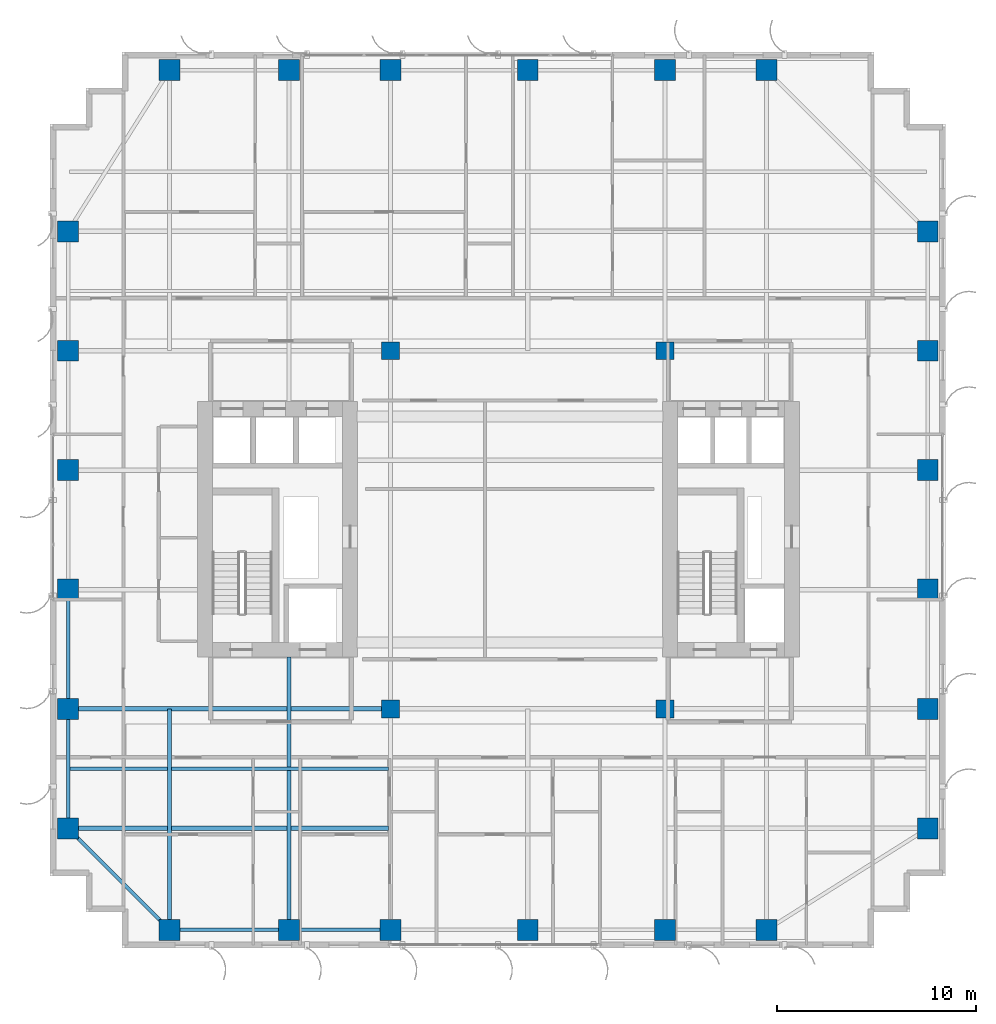
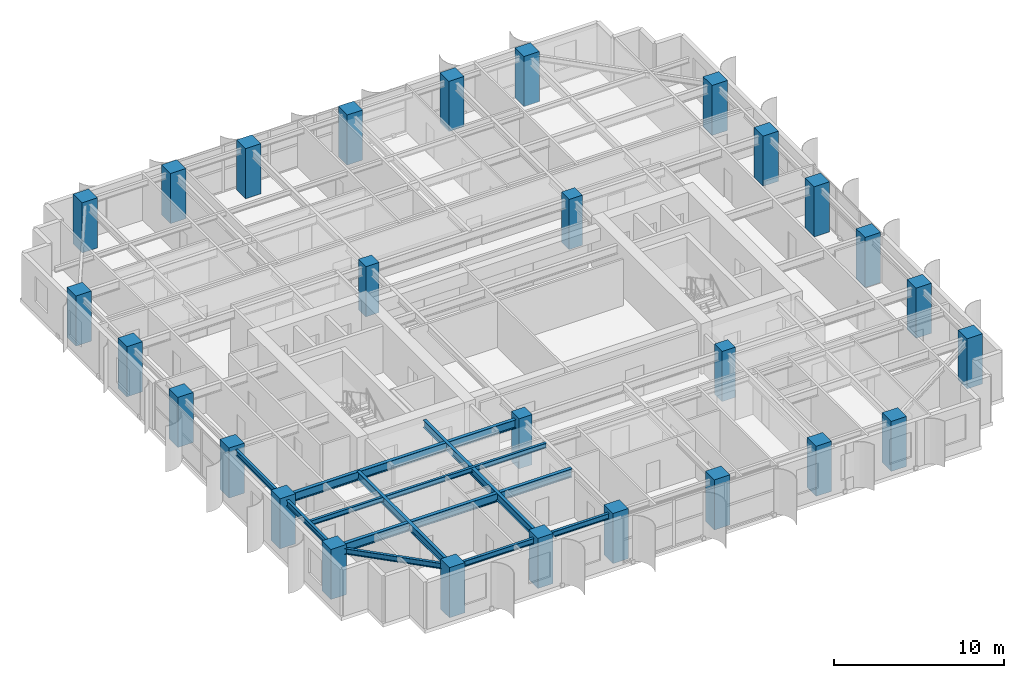
# One storey, part 1 of 22: 28 columns, 10 beams.
"""IFC4 building model written with IfcOpenShell, lengths in metres."""

from ifc_helpers import new_model, si_unit, direction, frame, origin, origin_2d, place, context, subcontext, project, spatial, rectangle, i_section, extrude, source, transform, mapped, material, material_profile, profile_set, type_object, element, save


model = new_model("IFC4")

# Units and contexts
model_context = context("Model", 3, precision=1e-05, world=origin(), true_north=direction((0.0, 1.0)))
body_context = subcontext(model_context, "Body", "Model", "MODEL_VIEW")
ifc_project = project(units=[si_unit("LENGTHUNIT", "METRE"), si_unit("AREAUNIT", "SQUARE_METRE"), si_unit("VOLUMEUNIT", "CUBIC_METRE"), si_unit("PLANEANGLEUNIT", "RADIAN"), si_unit("MASSUNIT", "GRAM", prefix="KILO")], contexts=[model_context])

# Site, building, storey
site_placement = place(None, origin())
site = spatial("IfcSite", under=ifc_project, at=site_placement, CompositionType="ELEMENT")
building_placement = place(site_placement, origin())
building = spatial("IfcBuilding", under=site, at=building_placement, Name="Khoralis Quay Care Tower", CompositionType="ELEMENT")
storey_placement = place(building_placement, frame((0.0, 0.0, 101.699951171875)))
storey = spatial("IfcBuildingStorey", under=building, at=storey_placement, Name="L26", CompositionType="ELEMENT", Elevation=101.699951171875)

# Columns
ifc_material_1 = material(Name="Concrete C65/80", Category="concrete")
ifc_material_profile_1 = material_profile(ifc_material_1, rectangle(XDim=1.050048828125, YDim=1.050048828125, at=origin_2d()), Name="Concrete C65/80")
ifc_profile_set_1 = profile_set([ifc_material_profile_1], Name="Concrete C65/80")
column_type_1 = type_object("IfcColumnType", Name="COL-C1050", PredefinedType="COLUMN", material=ifc_profile_set_1)
shared_shape_1 = source(origin(), body_context, "Body", "SweptSolid", [
    extrude(rectangle(XDim=1.050048828125, YDim=1.050048828125, at=origin_2d()), origin(), (0.0, 0.0, 1.0), 3.60009765625),
])
for number, where, z_axis, x_axis, name in (
    (1, (6.0, 0.89990234375, 0.0), (0.0, 0.0, 1.0), (1.0, 0.0, 0.0), "COL-TWR-L26-01"),
    (2, (6.0, 44.10009765625, 0.0), (0.0, 0.0, 1.0), (1.0, 0.0, 0.0), "COL-TWR-L26-02"),
    (3, (12.0, 0.89990234375, 0.0), (0.0, 0.0, 1.0), (1.0, 0.0, 0.0), "COL-TWR-L26-03"),
    (4, (12.0, 44.10009765625, 0.0), (0.0, 0.0, 1.0), (1.0, 0.0, 0.0), "COL-TWR-L26-04"),
    (5, (17.10009765625, 0.89990234375, 0.0), (0.0, 0.0, 1.0), (1.0, 0.0, 0.0), "COL-TWR-L26-05"),
    (6, (17.10009765625, 44.10009765625, 0.0), (0.0, 0.0, 1.0), (1.0, 0.0, 0.0), "COL-TWR-L26-06"),
    (7, (24.0, 0.89990234375, 0.0), (0.0, 0.0, 1.0), (1.0, 0.0, 0.0), "COL-TWR-L26-07"),
    (8, (24.0, 44.10009765625, 0.0), (0.0, 0.0, 1.0), (1.0, 0.0, 0.0), "COL-TWR-L26-08"),
    (9, (30.89990234375, 0.89990234375, 0.0), (0.0, 0.0, 1.0), (1.0, 0.0, 0.0), "COL-TWR-L26-09"),
    (10, (30.89990234375, 44.10009765625, 0.0), (0.0, 0.0, 1.0), (1.0, 0.0, 0.0), "COL-TWR-L26-10"),
    (11, (36.0, 0.89990234375, 0.0), (0.0, 0.0, 1.0), (1.0, 0.0, 0.0), "COL-TWR-L26-11"),
    (12, (36.0, 44.10009765625, 0.0), (0.0, 0.0, 1.0), (1.0, 0.0, 0.0), "COL-TWR-L26-12"),
    (13, (0.89990234375, 6.0, 0.0), (0.0, 0.0, 1.0), (1.0, 0.0, 0.0), "COL-TWR-L26-13"),
    (14, (44.10009765625, 6.0, 0.0), (0.0, 0.0, 1.0), (1.0, 0.0, 0.0), "COL-TWR-L26-14"),
    (15, (0.89990234375, 12.0, 0.0), (0.0, 0.0, 1.0), (1.0, 0.0, 0.0), "COL-TWR-L26-15"),
    (16, (44.10009765625, 12.0, 0.0), (0.0, 0.0, 1.0), (1.0, 0.0, 0.0), "COL-TWR-L26-16"),
    (17, (0.89990234375, 18.0, 0.0), (0.0, 0.0, 1.0), (1.0, 0.0, 0.0), "COL-TWR-L26-17"),
    (18, (44.10009765625, 18.0, 0.0), (0.0, 0.0, 1.0), (1.0, 0.0, 0.0), "COL-TWR-L26-18"),
    (19, (0.89990234375, 24.0, 0.0), (0.0, 0.0, 1.0), (1.0, 0.0, 0.0), "COL-TWR-L26-19"),
    (20, (44.10009765625, 24.0, 0.0), (0.0, 0.0, 1.0), (1.0, 0.0, 0.0), "COL-TWR-L26-20"),
    (21, (0.89990234375, 30.0, 0.0), (0.0, 0.0, 1.0), (1.0, 0.0, 0.0), "COL-TWR-L26-21"),
    (22, (44.10009765625, 30.0, 0.0), (0.0, 0.0, 1.0), (1.0, 0.0, 0.0), "COL-TWR-L26-22"),
    (23, (0.89990234375, 36.0, 0.0), (0.0, 0.0, 1.0), (1.0, 0.0, 0.0), "COL-TWR-L26-23"),
    (24, (44.10009765625, 36.0, 0.0), (0.0, 0.0, 1.0), (1.0, 0.0, 0.0), "COL-TWR-L26-24"),
):
    element("IfcColumn", number, at=place(storey_placement, frame(where, z_axis=z_axis, x_axis=x_axis)), inside=storey, type_object=column_type_1, Name=name, PredefinedType="COLUMN", context=body_context, shape_type="MappedRepresentation", body=[
        mapped(shared_shape_1, transform((0.0, 0.0, 0.0), scale=1.0)),
    ])
ifc_material_profile_2 = material_profile(ifc_material_1, rectangle(XDim=0.89990234375, YDim=0.89990234375, at=origin_2d()), Name="Concrete C65/80")
ifc_profile_set_2 = profile_set([ifc_material_profile_2], Name="Concrete C65/80")
column_type_2 = type_object("IfcColumnType", Name="COL-C900", PredefinedType="COLUMN", material=ifc_profile_set_2)
shared_shape_2 = source(origin(), body_context, "Body", "SweptSolid", [
    extrude(rectangle(XDim=0.89990234375, YDim=0.89990234375, at=origin_2d()), origin(), (0.0, 0.0, 1.0), 3.60009765625),
])
for number, where, z_axis, x_axis, name in (
    (25, (17.10009765625, 12.0, 0.0), (0.0, 0.0, 1.0), (1.0, 0.0, 0.0), "COL-TWR-L26-25"),
    (26, (17.10009765625, 30.0, 0.0), (0.0, 0.0, 1.0), (1.0, 0.0, 0.0), "COL-TWR-L26-26"),
    (27, (30.89990234375, 12.0, 0.0), (0.0, 0.0, 1.0), (1.0, 0.0, 0.0), "COL-TWR-L26-27"),
    (28, (30.89990234375, 30.0, 0.0), (0.0, 0.0, 1.0), (1.0, 0.0, 0.0), "COL-TWR-L26-28"),
):
    element("IfcColumn", number, at=place(storey_placement, frame(where, z_axis=z_axis, x_axis=x_axis)), inside=storey, type_object=column_type_2, Name=name, PredefinedType="COLUMN", context=body_context, shape_type="MappedRepresentation", body=[
        mapped(shared_shape_2, transform((0.0, 0.0, 0.0), scale=1.0)),
    ])

# Beams
ifc_material_2 = material(Name="Steel S355", Category="steel")
ifc_material_profile_3 = material_profile(ifc_material_2, i_section(OverallWidth=0.179931640625, OverallDepth=0.39990234375, WebThickness=0.008544921875, FlangeThickness=0.013427734375, FilletRadius=0.02099609375, at=origin_2d()), Name="Steel S355")
ifc_profile_set_3 = profile_set([ifc_material_profile_3], Name="Steel S355")
beam_type_1 = type_object("IfcBeamType", Name="BM-IPE400", PredefinedType="SPANDREL", material=ifc_profile_set_3)
shared_shape_3 = source(origin(), body_context, "Body", "SweptSolid", [
    extrude(i_section(OverallWidth=0.179931640625, OverallDepth=0.39990234375, WebThickness=0.008544921875, FlangeThickness=0.013427734375, FilletRadius=0.02099609375, at=origin_2d()), origin(), (0.0, 0.0, 1.0), 6.0),
])
for number, where, z_axis, x_axis, name in (
    (29, (6.0, 0.89990234375, 3.14013671875), (1.0, 0.0, 0.0), (0.0, 1.0, 0.0), "BM-TSP-L26-01"),
    (30, (0.89990234375, 6.0, 3.14013671875), (0.0, 1.0, 0.0), (-1.0, 0.0, 0.0), "BM-TSP-L26-11"),
    (31, (0.89990234375, 12.0, 3.14013671875), (0.0, 1.0, 0.0), (-1.0, 0.0, 0.0), "BM-TSP-L26-12"),
):
    element("IfcBeam", number, at=place(storey_placement, frame(where, z_axis=z_axis, x_axis=x_axis)), inside=storey, type_object=beam_type_1, Name=name, PredefinedType="SPANDREL", context=body_context, shape_type="MappedRepresentation", body=[
        mapped(shared_shape_3, transform((0.0, 0.0, 0.0), scale=1.0)),
    ])
shared_shape_4 = source(origin(), body_context, "Body", "SweptSolid", [
    extrude(i_section(OverallWidth=0.179931640625, OverallDepth=0.39990234375, WebThickness=0.008544921875, FlangeThickness=0.013427734375, FilletRadius=0.02099609375, at=origin_2d()), origin(), (0.0, 0.0, 1.0), 5.10009765625),
])
beam_1_placement = place(storey_placement, frame((12.0, 0.89990234375, 3.14013671875), z_axis=(1.0, 0.0, 0.0), x_axis=(0.0, 1.0, 0.0)))
element("IfcBeam", 32, at=beam_1_placement, inside=storey, type_object=beam_type_1, Name="BM-TSP-L26-02", PredefinedType="SPANDREL", context=body_context, shape_type="MappedRepresentation", body=[
    mapped(shared_shape_4, transform((0.0, 0.0, 0.0), scale=1.0)),
])
shared_shape_5 = source(origin(), body_context, "Body", "SweptSolid", [
    extrude(i_section(OverallWidth=0.179931640625, OverallDepth=0.39990234375, WebThickness=0.008544921875, FlangeThickness=0.013427734375, FilletRadius=0.02099609375, at=origin_2d()), origin(), (0.0, 0.0, 1.0), 7.212646484375),
])
beam_2_placement = place(storey_placement, frame((6.0, 0.89990234375, 3.14013671875), z_axis=(-0.707106781187, 0.707106781187, 0.0), x_axis=(-0.707106781187, -0.707106781187, 0.0)))
element("IfcBeam", 33, at=beam_2_placement, inside=storey, type_object=beam_type_1, Name="BM-TCR-L26-21", PredefinedType="SPANDREL", context=body_context, shape_type="MappedRepresentation", body=[
    mapped(shared_shape_5, transform((0.0, 0.0, 0.0), scale=1.0)),
])
ifc_material_profile_4 = material_profile(ifc_material_2, i_section(OverallWidth=0.22998046875, OverallDepth=0.616943359375, WebThickness=0.01318359375, FlangeThickness=0.022216796875, FilletRadius=0.01806640625, at=origin_2d()), Name="Steel S355")
ifc_profile_set_4 = profile_set([ifc_material_profile_4], Name="Steel S355")
beam_type_2 = type_object("IfcBeamType", Name="BM-W610X140", PredefinedType="BEAM", material=ifc_profile_set_4)
shared_shape_6 = source(origin(), body_context, "Body", "SweptSolid", [
    extrude(i_section(OverallWidth=0.22998046875, OverallDepth=0.616943359375, WebThickness=0.01318359375, FlangeThickness=0.022216796875, FilletRadius=0.01806640625, at=origin_2d()), origin(), (0.0, 0.0, 1.0), 16.106201171875),
])
beam_3_placement = place(storey_placement, frame((0.89990234375, 6.0, 3.031494140625), z_axis=(1.0, 0.0, 0.0), x_axis=(0.0, 1.0, 0.0)))
element("IfcBeam", 34, at=beam_3_placement, inside=storey, type_object=beam_type_2, Name="BM-TGXW-L26-60", PredefinedType="BEAM", context=body_context, shape_type="MappedRepresentation", body=[
    mapped(shared_shape_6, transform((0.0, 0.0, 0.0), scale=1.0)),
])
shared_shape_7 = source(origin(), body_context, "Body", "SweptSolid", [
    extrude(i_section(OverallWidth=0.22998046875, OverallDepth=0.616943359375, WebThickness=0.01318359375, FlangeThickness=0.022216796875, FilletRadius=0.01806640625, at=origin_2d()), origin(), (0.0, 0.0, 1.0), 16.2001953125),
])
beam_4_placement = place(storey_placement, frame((0.89990234375, 12.0, 3.031494140625), z_axis=(1.0, 0.0, 0.0), x_axis=(0.0, 1.0, 0.0)))
element("IfcBeam", 35, at=beam_4_placement, inside=storey, type_object=beam_type_2, Name="BM-TGXW-L26-120", PredefinedType="BEAM", context=body_context, shape_type="MappedRepresentation", body=[
    mapped(shared_shape_7, transform((0.0, 0.0, 0.0), scale=1.0)),
])
ifc_material_profile_5 = material_profile(ifc_material_2, i_section(OverallWidth=0.2119140625, OverallDepth=0.5439453125, WebThickness=0.01318359375, FlangeThickness=0.021240234375, FilletRadius=0.01611328125, at=origin_2d()), Name="Steel S355")
ifc_profile_set_5 = profile_set([ifc_material_profile_5], Name="Steel S355")
beam_type_3 = type_object("IfcBeamType", Name="BM-W530X123", PredefinedType="BEAM", material=ifc_profile_set_5)
shared_shape_8 = source(origin(), body_context, "Body", "SweptSolid", [
    extrude(i_section(OverallWidth=0.2119140625, OverallDepth=0.5439453125, WebThickness=0.01318359375, FlangeThickness=0.021240234375, FilletRadius=0.01611328125, at=origin_2d()), origin(), (0.0, 0.0, 1.0), 11.10009765625),
])
beam_5_placement = place(storey_placement, frame((6.0, 0.89990234375, 3.068115234375), z_axis=(0.0, 1.0, 0.0), x_axis=(-1.0, 0.0, 0.0)))
element("IfcBeam", 36, at=beam_5_placement, inside=storey, type_object=beam_type_3, Name="BM-TGYS-L26-60", PredefinedType="BEAM", context=body_context, shape_type="MappedRepresentation", body=[
    mapped(shared_shape_8, transform((0.0, 0.0, 0.0), scale=1.0)),
])
shared_shape_9 = source(origin(), body_context, "Body", "SweptSolid", [
    extrude(i_section(OverallWidth=0.2119140625, OverallDepth=0.5439453125, WebThickness=0.01318359375, FlangeThickness=0.021240234375, FilletRadius=0.01611328125, at=origin_2d()), origin(), (0.0, 0.0, 1.0), 13.7021484375),
])
beam_6_placement = place(storey_placement, frame((12.0, 0.89990234375, 3.068115234375), z_axis=(0.0, 1.0, 0.0), x_axis=(-1.0, 0.0, 0.0)))
element("IfcBeam", 37, at=beam_6_placement, inside=storey, type_object=beam_type_3, Name="BM-TGYS-L26-120", PredefinedType="BEAM", context=body_context, shape_type="MappedRepresentation", body=[
    mapped(shared_shape_9, transform((0.0, 0.0, 0.0), scale=1.0)),
])
ifc_material_profile_6 = material_profile(ifc_material_2, i_section(OverallWidth=0.1708984375, OverallDepth=0.35498046875, WebThickness=0.007080078125, FlangeThickness=0.01171875, FilletRadius=0.012939453125, at=origin_2d()), Name="Steel S355")
ifc_profile_set_6 = profile_set([ifc_material_profile_6], Name="Steel S355")
beam_type_4 = type_object("IfcBeamType", Name="BM-W360X51", PredefinedType="JOIST", material=ifc_profile_set_6)
shared_shape_10 = source(origin(), body_context, "Body", "SweptSolid", [
    extrude(i_section(OverallWidth=0.1708984375, OverallDepth=0.35498046875, WebThickness=0.007080078125, FlangeThickness=0.01171875, FilletRadius=0.012939453125, at=origin_2d()), origin(), (0.0, 0.0, 1.0), 16.030029296875),
])
beam_7_placement = place(storey_placement, frame((0.97607421875, 9.0, 3.16259765625), z_axis=(1.0, 0.0, 0.0), x_axis=(0.0, 1.0, 0.0)))
element("IfcBeam", 38, at=beam_7_placement, inside=storey, type_object=beam_type_4, Name="BM-TJS-L26-25", PredefinedType="JOIST", context=body_context, shape_type="MappedRepresentation", body=[
    mapped(shared_shape_10, transform((0.0, 0.0, 0.0), scale=1.0)),
])

save(model, "model.ifc")
